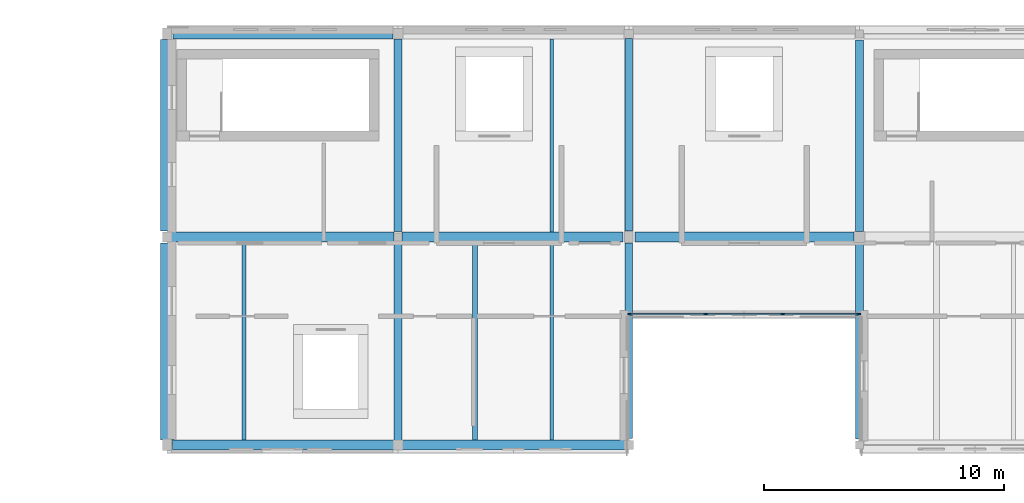
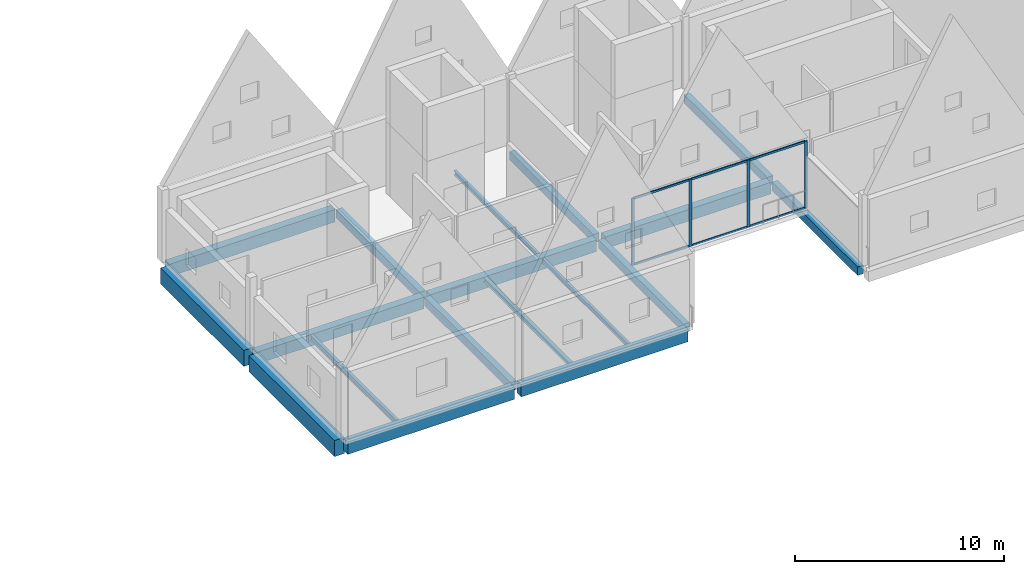
# One storey, part 4 of 13: 18 beams, 10 members, 1 element without a shape of its own.
"""IFC4 building model written with IfcOpenShell, lengths in metres."""

from ifc_helpers import new_model, si_unit, direction, frame, origin, origin_2d, place, context, subcontext, project, spatial, rectangle, i_section, extrude, material, layer, layer_set, material_profile, profile_set, type_object, element, aggregate, save


model = new_model("IFC4")

# Units and contexts
model_context = context("Model", 3, precision=1e-05, world=origin(), true_north=direction((0.0, 1.0)))
body_context = subcontext(model_context, "Body", "Model", "MODEL_VIEW")
ifc_project = project(units=[si_unit("LENGTHUNIT", "METRE"), si_unit("AREAUNIT", "SQUARE_METRE"), si_unit("VOLUMEUNIT", "CUBIC_METRE"), si_unit("PLANEANGLEUNIT", "RADIAN"), si_unit("MASSUNIT", "GRAM", prefix="KILO")], contexts=[model_context])

# Site, building, storey
site_placement = place(None, origin())
site = spatial("IfcSite", under=ifc_project, at=site_placement, CompositionType="ELEMENT")
building_placement = place(site_placement, origin())
building = spatial("IfcBuilding", under=site, at=building_placement, Name="Birchvale Park Specialist Clinic", CompositionType="ELEMENT")
storey_placement = place(building_placement, frame((0.0, 0.0, 22.199951171875)))
storey = spatial("IfcBuildingStorey", under=building, at=storey_placement, Name="L05", CompositionType="ELEMENT", Elevation=22.199951171875)

# Beams
ifc_material_1 = material(Name="Concrete C40/50", Category="concrete")
ifc_material_profile_1 = material_profile(ifc_material_1, rectangle(XDim=0.419921875, YDim=0.719970703125, at=origin_2d()), Name="RCB-420x720")
ifc_profile_set_1 = profile_set([ifc_material_profile_1], Name="Concrete C40/50")
beam_type_1 = type_object("IfcBeamType", Name="BM-EXT-BG3", PredefinedType="BEAM", material=ifc_profile_set_1)
beam_1_placement = place(storey_placement, frame((61.614990234375, 17.14990234375, -0.619873046875), z_axis=(1.0, 0.0, 0.0), x_axis=(0.0, 1.0, 0.0)))
element("IfcBeam", 1, at=beam_1_placement, inside=storey, type_object=beam_type_1, Name="V4 L05 X girder 1", PredefinedType="BEAM", context=body_context, shape_type="SweptSolid", body=[
    extrude(rectangle(XDim=0.419921875, YDim=0.719970703125, at=origin_2d()), origin(), (0.0, 0.0, 1.0), 9.195068359375),
])
beam_2_placement = place(storey_placement, frame((71.18994140625, 17.14990234375, -0.619873046875), z_axis=(1.0, 0.0, 0.0), x_axis=(0.0, 1.0, 0.0)))
element("IfcBeam", 2, at=beam_2_placement, inside=storey, type_object=beam_type_1, Name="V4 L05 X girder 2", PredefinedType="BEAM", context=body_context, shape_type="SweptSolid", body=[
    extrude(rectangle(XDim=0.419921875, YDim=0.719970703125, at=origin_2d()), origin(), (0.0, 0.0, 1.0), 9.22509765625),
])
beam_3_placement = place(storey_placement, frame((61.639892578125, 34.25, -0.619873046875), z_axis=(1.0, 0.0, 0.0), x_axis=(0.0, 1.0, 0.0)))
element("IfcBeam", 3, at=beam_3_placement, inside=storey, type_object=beam_type_1, Name="V4 L05 X girder 8", PredefinedType="BEAM", context=body_context, shape_type="SweptSolid", body=[
    extrude(rectangle(XDim=0.419921875, YDim=0.719970703125, at=origin_2d()), origin(), (0.0, 0.0, 1.0), 9.14501953125),
])
ifc_material_profile_2 = material_profile(ifc_material_1, rectangle(XDim=0.550048828125, YDim=0.93994140625, at=origin_2d()), Name="RCB-550x940")
ifc_profile_set_2 = profile_set([ifc_material_profile_2], Name="Concrete C40/50")
beam_type_2 = type_object("IfcBeamType", Name="BM-EXT-RB1", PredefinedType="BEAM", material=ifc_profile_set_2)
beam_4_placement = place(storey_placement, frame((61.39990234375, 17.364990234375, -0.72998046875), z_axis=(0.0, 1.0, 0.0), x_axis=(-1.0, 0.0, 0.0)))
element("IfcBeam", 4, at=beam_4_placement, inside=storey, type_object=beam_type_2, Name="V4 L05 Y girder 12", PredefinedType="BEAM", context=body_context, shape_type="SweptSolid", body=[
    extrude(rectangle(XDim=0.550048828125, YDim=0.93994140625, at=origin_2d()), origin(), (0.0, 0.0, 1.0), 8.18505859375),
])
beam_5_placement = place(storey_placement, frame((61.39990234375, 26.050048828125, -0.72998046875), z_axis=(0.0, 1.0, 0.0), x_axis=(-1.0, 0.0, 0.0)))
element("IfcBeam", 5, at=beam_5_placement, inside=storey, type_object=beam_type_2, Name="V4 L05 Y girder 13", PredefinedType="BEAM", context=body_context, shape_type="SweptSolid", body=[
    extrude(rectangle(XDim=0.550048828125, YDim=0.93994140625, at=origin_2d()), origin(), (0.0, 0.0, 1.0), 7.9599609375),
])
ifc_material_profile_3 = material_profile(ifc_material_1, rectangle(XDim=0.419921875, YDim=0.679931640625, at=origin_2d()), Name="RCB-420x680")
ifc_profile_set_3 = profile_set([ifc_material_profile_3], Name="Concrete C40/50")
beam_type_3 = type_object("IfcBeamType", Name="BM-INT-BG3", PredefinedType="BEAM", material=ifc_profile_set_3)
beam_6_placement = place(storey_placement, frame((61.574951171875, 25.800048828125, -0.599853515625), z_axis=(1.0, 0.0, 0.0), x_axis=(0.0, 1.0, 0.0)))
element("IfcBeam", 6, at=beam_6_placement, inside=storey, type_object=beam_type_3, Name="V4 L05 X girder 4", PredefinedType="BEAM", context=body_context, shape_type="SweptSolid", body=[
    extrude(rectangle(XDim=0.419921875, YDim=0.679931640625, at=origin_2d()), origin(), (0.0, 0.0, 1.0), 9.25),
])
beam_7_placement = place(storey_placement, frame((71.175048828125, 25.800048828125, -0.599853515625), z_axis=(1.0, 0.0, 0.0), x_axis=(0.0, 1.0, 0.0)))
element("IfcBeam", 7, at=beam_7_placement, inside=storey, type_object=beam_type_3, Name="V4 L05 X girder 5", PredefinedType="BEAM", context=body_context, shape_type="SweptSolid", body=[
    extrude(rectangle(XDim=0.419921875, YDim=0.679931640625, at=origin_2d()), origin(), (0.0, 0.0, 1.0), 9.175048828125),
])
beam_8_placement = place(storey_placement, frame((80.85009765625, 25.800048828125, -0.599853515625), z_axis=(1.0, 0.0, 0.0), x_axis=(0.0, 1.0, 0.0)))
element("IfcBeam", 8, at=beam_8_placement, inside=storey, type_object=beam_type_3, Name="V4 L05 X girder 6", PredefinedType="BEAM", context=body_context, shape_type="SweptSolid", body=[
    extrude(rectangle(XDim=0.419921875, YDim=0.679931640625, at=origin_2d()), origin(), (0.0, 0.0, 1.0), 9.125),
])
ifc_material_profile_4 = material_profile(ifc_material_1, rectangle(XDim=0.320068359375, YDim=0.5, at=origin_2d()), Name="RCB-320x500")
ifc_profile_set_4 = profile_set([ifc_material_profile_4], Name="Concrete C40/50")
beam_type_4 = type_object("IfcBeamType", Name="BM-INT-BG7", PredefinedType="BEAM", material=ifc_profile_set_4)
beam_9_placement = place(storey_placement, frame((71.0, 17.340087890625, -0.510009765625), z_axis=(0.0, 1.0, 0.0), x_axis=(-1.0, 0.0, 0.0)))
element("IfcBeam", 9, at=beam_9_placement, inside=storey, type_object=beam_type_4, Name="V4 L05 Y girder 14", PredefinedType="BEAM", context=body_context, shape_type="SweptSolid", body=[
    extrude(rectangle(XDim=0.320068359375, YDim=0.5, at=origin_2d()), origin(), (0.0, 0.0, 1.0), 8.23486328125),
])
beam_10_placement = place(storey_placement, frame((71.0, 26.02490234375, -0.510009765625), z_axis=(0.0, 1.0, 0.0), x_axis=(-1.0, 0.0, 0.0)))
element("IfcBeam", 10, at=beam_10_placement, inside=storey, type_object=beam_type_4, Name="V4 L05 Y girder 15", PredefinedType="BEAM", context=body_context, shape_type="SweptSolid", body=[
    extrude(rectangle(XDim=0.320068359375, YDim=0.5, at=origin_2d()), origin(), (0.0, 0.0, 1.0), 8.010009765625),
])
beam_11_placement = place(storey_placement, frame((80.60009765625, 17.409912109375, -0.510009765625), z_axis=(0.0, 1.0, 0.0), x_axis=(-1.0, 0.0, 0.0)))
element("IfcBeam", 11, at=beam_11_placement, inside=storey, type_object=beam_type_4, Name="V4 L05 Y girder 16", PredefinedType="BEAM", context=body_context, shape_type="SweptSolid", body=[
    extrude(rectangle(XDim=0.320068359375, YDim=0.5, at=origin_2d()), origin(), (0.0, 0.0, 1.0), 8.14013671875),
])
beam_12_placement = place(storey_placement, frame((80.60009765625, 26.050048828125, -0.510009765625), z_axis=(0.0, 1.0, 0.0), x_axis=(-1.0, 0.0, 0.0)))
element("IfcBeam", 12, at=beam_12_placement, inside=storey, type_object=beam_type_4, Name="V4 L05 Y girder 17", PredefinedType="BEAM", context=body_context, shape_type="SweptSolid", body=[
    extrude(rectangle(XDim=0.320068359375, YDim=0.5, at=origin_2d()), origin(), (0.0, 0.0, 1.0), 8.010009765625),
])
beam_13_placement = place(storey_placement, frame((90.199951171875, 17.389892578125, -0.510009765625), z_axis=(0.0, 1.0, 0.0), x_axis=(-1.0, 0.0, 0.0)))
element("IfcBeam", 13, at=beam_13_placement, inside=storey, type_object=beam_type_4, Name="V4 L05 Y girder 18", PredefinedType="BEAM", context=body_context, shape_type="SweptSolid", body=[
    extrude(rectangle(XDim=0.320068359375, YDim=0.5, at=origin_2d()), origin(), (0.0, 0.0, 1.0), 8.18505859375),
])
beam_14_placement = place(storey_placement, frame((90.199951171875, 26.02490234375, -0.510009765625), z_axis=(0.0, 1.0, 0.0), x_axis=(-1.0, 0.0, 0.0)))
element("IfcBeam", 14, at=beam_14_placement, inside=storey, type_object=beam_type_4, Name="V4 L05 Y girder 19", PredefinedType="BEAM", context=body_context, shape_type="SweptSolid", body=[
    extrude(rectangle(XDim=0.320068359375, YDim=0.5, at=origin_2d()), origin(), (0.0, 0.0, 1.0), 7.965087890625),
])

# Curtain wall, members
ifc_material_2 = material(Name="Thermally broken anodised aluminium", Category="aluminium")
ifc_layer = layer(ifc_material_2, 0.179931640625)
ifc_layer_set = layer_set([ifc_layer], Name="Thermally broken anodised aluminium")
curtain_wall_type = type_object("IfcCurtainWallType", Name="CW-U1", PredefinedType="USERDEFINED", material=ifc_layer_set)
curtain_wall_placement = place(storey_placement, origin())
curtain_wall = element("IfcCurtainWall", 15, at=curtain_wall_placement, inside=storey, type_object=curtain_wall_type, Name="V4 L05 glazed curtain wall 152", ObjectType="UNITISED", PredefinedType="USERDEFINED")
ifc_material_profile_5 = material_profile(ifc_material_2, rectangle(XDim=0.06005859375, YDim=0.159912109375, at=origin_2d()), Name="CWM-60x160")
ifc_profile_set_5 = profile_set([ifc_material_profile_5], Name="Thermally broken anodised aluminium")
member_type_1 = type_object("IfcMemberType", Name="CWM1", PredefinedType="MULLION", material=ifc_profile_set_5)
member_1_placement = place(storey_placement, frame((80.6298828125, 22.590087890625, 0.0), z_axis=(0.0, 0.0, 1.0), x_axis=(0.0, 1.0, 0.0)))
member_1 = element("IfcMember", 16, at=member_1_placement, type_object=member_type_1, Name="CW mullion 1", PredefinedType="MULLION", context=body_context, shape_type="SweptSolid", body=[
    extrude(rectangle(XDim=0.06005859375, YDim=0.159912109375, at=origin_2d()), origin(), (0.0, 0.0, 1.0), 3.920166015625),
])
member_2_placement = place(storey_placement, frame((83.800048828125, 22.590087890625, 0.0), z_axis=(0.0, 0.0, 1.0), x_axis=(0.0, 1.0, 0.0)))
member_2 = element("IfcMember", 17, at=member_2_placement, type_object=member_type_1, Name="CW mullion 2", PredefinedType="MULLION", context=body_context, shape_type="SweptSolid", body=[
    extrude(rectangle(XDim=0.06005859375, YDim=0.159912109375, at=origin_2d()), origin(), (0.0, 0.0, 1.0), 3.920166015625),
])
member_3_placement = place(storey_placement, frame((87.0, 22.590087890625, 0.0), z_axis=(0.0, 0.0, 1.0), x_axis=(0.0, 1.0, 0.0)))
member_3 = element("IfcMember", 18, at=member_3_placement, type_object=member_type_1, Name="CW mullion 3", PredefinedType="MULLION", context=body_context, shape_type="SweptSolid", body=[
    extrude(rectangle(XDim=0.06005859375, YDim=0.159912109375, at=origin_2d()), origin(), (0.0, 0.0, 1.0), 3.920166015625),
])
member_4_placement = place(storey_placement, frame((90.169921875, 22.590087890625, 0.0), z_axis=(0.0, 0.0, 1.0), x_axis=(0.0, 1.0, 0.0)))
member_4 = element("IfcMember", 19, at=member_4_placement, type_object=member_type_1, Name="CW mullion 4", PredefinedType="MULLION", context=body_context, shape_type="SweptSolid", body=[
    extrude(rectangle(XDim=0.06005859375, YDim=0.159912109375, at=origin_2d()), origin(), (0.0, 0.0, 1.0), 3.920166015625),
])
ifc_material_profile_6 = material_profile(ifc_material_2, rectangle(XDim=0.06005859375, YDim=0.1201171875, at=origin_2d()), Name="CWT-60x120")
ifc_profile_set_6 = profile_set([ifc_material_profile_6], Name="Thermally broken anodised aluminium")
member_type_2 = type_object("IfcMemberType", Name="CWT1", PredefinedType="USERDEFINED", material=ifc_profile_set_6)
member_5_placement = place(storey_placement, frame((80.659912109375, 22.590087890625, 0.030029296875), z_axis=(1.0, 0.0, 0.0), x_axis=(0.0, 1.0, 0.0)))
member_5 = element("IfcMember", 20, at=member_5_placement, type_object=member_type_2, Name="CW transom 1.1", ObjectType="TRANSOM", PredefinedType="USERDEFINED", context=body_context, shape_type="SweptSolid", body=[
    extrude(rectangle(XDim=0.06005859375, YDim=0.1201171875, at=origin_2d()), origin(), (0.0, 0.0, 1.0), 3.110107421875),
])
member_6_placement = place(storey_placement, frame((80.659912109375, 22.590087890625, 3.89013671875), z_axis=(1.0, 0.0, 0.0), x_axis=(0.0, 1.0, 0.0)))
member_6 = element("IfcMember", 21, at=member_6_placement, type_object=member_type_2, Name="CW transom 1.2", ObjectType="TRANSOM", PredefinedType="USERDEFINED", context=body_context, shape_type="SweptSolid", body=[
    extrude(rectangle(XDim=0.06005859375, YDim=0.1201171875, at=origin_2d()), origin(), (0.0, 0.0, 1.0), 3.110107421875),
])
member_7_placement = place(storey_placement, frame((83.830078125, 22.590087890625, 0.030029296875), z_axis=(1.0, 0.0, 0.0), x_axis=(0.0, 1.0, 0.0)))
member_7 = element("IfcMember", 22, at=member_7_placement, type_object=member_type_2, Name="CW transom 2.1", ObjectType="TRANSOM", PredefinedType="USERDEFINED", context=body_context, shape_type="SweptSolid", body=[
    extrude(rectangle(XDim=0.06005859375, YDim=0.1201171875, at=origin_2d()), origin(), (0.0, 0.0, 1.0), 3.139892578125),
])
member_8_placement = place(storey_placement, frame((83.830078125, 22.590087890625, 3.89013671875), z_axis=(1.0, 0.0, 0.0), x_axis=(0.0, 1.0, 0.0)))
member_8 = element("IfcMember", 23, at=member_8_placement, type_object=member_type_2, Name="CW transom 2.2", ObjectType="TRANSOM", PredefinedType="USERDEFINED", context=body_context, shape_type="SweptSolid", body=[
    extrude(rectangle(XDim=0.06005859375, YDim=0.1201171875, at=origin_2d()), origin(), (0.0, 0.0, 1.0), 3.139892578125),
])
member_9_placement = place(storey_placement, frame((87.030029296875, 22.590087890625, 0.030029296875), z_axis=(1.0, 0.0, 0.0), x_axis=(0.0, 1.0, 0.0)))
member_9 = element("IfcMember", 24, at=member_9_placement, type_object=member_type_2, Name="CW transom 3.1", ObjectType="TRANSOM", PredefinedType="USERDEFINED", context=body_context, shape_type="SweptSolid", body=[
    extrude(rectangle(XDim=0.06005859375, YDim=0.1201171875, at=origin_2d()), origin(), (0.0, 0.0, 1.0), 3.10986328125),
])
member_10_placement = place(storey_placement, frame((87.030029296875, 22.590087890625, 3.89013671875), z_axis=(1.0, 0.0, 0.0), x_axis=(0.0, 1.0, 0.0)))
member_10 = element("IfcMember", 25, at=member_10_placement, type_object=member_type_2, Name="CW transom 3.2", ObjectType="TRANSOM", PredefinedType="USERDEFINED", context=body_context, shape_type="SweptSolid", body=[
    extrude(rectangle(XDim=0.06005859375, YDim=0.1201171875, at=origin_2d()), origin(), (0.0, 0.0, 1.0), 3.10986328125),
])
aggregate(curtain_wall, [member_1, member_2, member_3, member_4, member_5, member_6, member_7, member_8, member_9, member_10])

# Beams
ifc_material_3 = material(Name="Steel ASTM A992 Grade 50", Category="steel")
ifc_material_profile_7 = material_profile(ifc_material_3, i_section(OverallWidth=0.1669921875, OverallDepth=0.31689453125, WebThickness=0.007568359375, FlangeThickness=0.01318359375, at=origin_2d()), Name="W12X35")
ifc_profile_set_7 = profile_set([ifc_material_profile_7], Name="Steel ASTM A992 Grade 50")
beam_type_5 = type_object("IfcBeamType", Name="STL-INT-SJ3", PredefinedType="JOIST", material=ifc_profile_set_7)
beam_15_placement = place(storey_placement, frame((64.60009765625, 17.360107421875, -0.41845703125), z_axis=(0.0, 1.0, 0.0), x_axis=(-1.0, 0.0, 0.0)))
element("IfcBeam", 26, at=beam_15_placement, inside=storey, type_object=beam_type_5, Name="V4 L05 secondary floor joist 1", PredefinedType="JOIST", context=body_context, shape_type="SweptSolid", body=[
    extrude(i_section(OverallWidth=0.1669921875, OverallDepth=0.31689453125, WebThickness=0.007568359375, FlangeThickness=0.01318359375, at=origin_2d()), origin(), (0.0, 0.0, 1.0), 8.22998046875),
])
ifc_material_profile_8 = material_profile(ifc_material_3, i_section(OverallWidth=0.202880859375, OverallDepth=0.251953125, WebThickness=0.008056640625, FlangeThickness=0.013427734375, at=origin_2d()), Name="W10X39")
ifc_profile_set_8 = profile_set([ifc_material_profile_8], Name="Steel ASTM A992 Grade 50")
beam_type_6 = type_object("IfcBeamType", Name="STL-INT-SJ4", PredefinedType="JOIST", material=ifc_profile_set_8)
beam_16_placement = place(storey_placement, frame((74.199951171875, 17.360107421875, -0.385986328125), z_axis=(0.0, 1.0, 0.0), x_axis=(-1.0, 0.0, 0.0)))
element("IfcBeam", 27, at=beam_16_placement, inside=storey, type_object=beam_type_6, Name="V4 L05 secondary floor joist 2", PredefinedType="JOIST", context=body_context, shape_type="SweptSolid", body=[
    extrude(i_section(OverallWidth=0.202880859375, OverallDepth=0.251953125, WebThickness=0.008056640625, FlangeThickness=0.013427734375, at=origin_2d()), origin(), (0.0, 0.0, 1.0), 8.22998046875),
])
ifc_material_profile_9 = material_profile(ifc_material_3, i_section(OverallWidth=0.14697265625, OverallDepth=0.261962890625, WebThickness=0.006591796875, FlangeThickness=0.01123046875, at=origin_2d()), Name="W10X26")
ifc_profile_set_9 = profile_set([ifc_material_profile_9], Name="Steel ASTM A992 Grade 50")
beam_type_7 = type_object("IfcBeamType", Name="STL-INT-SJ5", PredefinedType="JOIST", material=ifc_profile_set_9)
beam_17_placement = place(storey_placement, frame((77.39990234375, 17.360107421875, -0.390869140625), z_axis=(0.0, 1.0, 0.0), x_axis=(-1.0, 0.0, 0.0)))
element("IfcBeam", 28, at=beam_17_placement, inside=storey, type_object=beam_type_7, Name="V4 L05 secondary floor joist 3", PredefinedType="JOIST", context=body_context, shape_type="SweptSolid", body=[
    extrude(i_section(OverallWidth=0.14697265625, OverallDepth=0.261962890625, WebThickness=0.006591796875, FlangeThickness=0.01123046875, at=origin_2d()), origin(), (0.0, 0.0, 1.0), 8.22998046875),
])
beam_18_placement = place(storey_placement, frame((77.39990234375, 26.010009765625, -0.390869140625), z_axis=(0.0, 1.0, 0.0), x_axis=(-1.0, 0.0, 0.0)))
element("IfcBeam", 29, at=beam_18_placement, inside=storey, type_object=beam_type_7, Name="V4 L05 secondary floor joist 4", PredefinedType="JOIST", context=body_context, shape_type="SweptSolid", body=[
    extrude(i_section(OverallWidth=0.14697265625, OverallDepth=0.261962890625, WebThickness=0.006591796875, FlangeThickness=0.01123046875, at=origin_2d()), origin(), (0.0, 0.0, 1.0), 8.030029296875),
])

save(model, "model.ifc")
